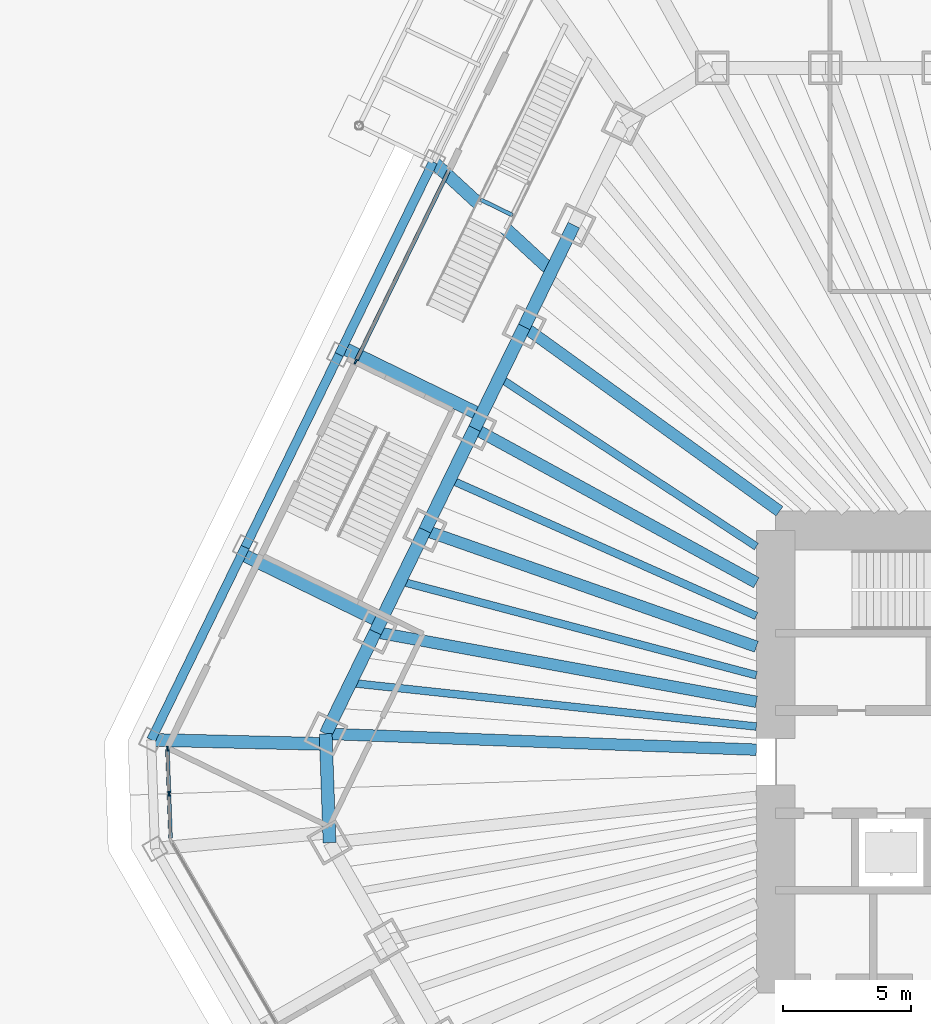
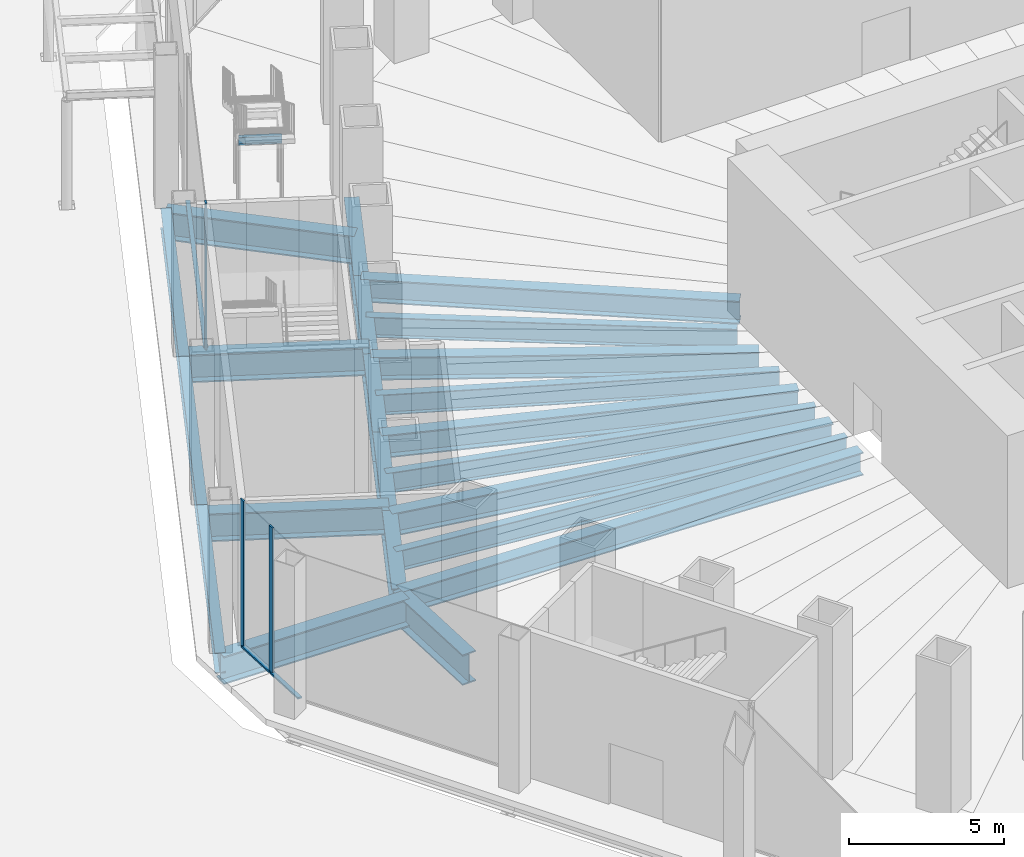
# One storey, part 17 of 45: 23 beams, 6 members, 2 elements without a shape of their own.
"""IFC4 building model written with IfcOpenShell, lengths in metres."""

import ifcopenshell
import ifcopenshell.guid

model = None  # the IFC model being written
_history = None  # IfcOwnerHistory: only IFC2X3 demands one
_inside = {}  # id of a spatial element -> (the spatial element, [elements in it])
_under = {}  # id of a project, library or spatial element -> (it, [spatial elements below it])
_declared = {}  # id of a project -> (the project, [libraries it declares])
_typed = {}  # id of a type object -> (the type object, [elements of that type])
_made_of = {}  # id of a material, layer set ... -> (it, [elements and type objects made of it])


def new_model(schema):
    """Start an empty IFC model of exactly this schema.

    Asked for "IFC4X3", IfcOpenShell would pick the latest addendum, in which some entities
    have other attributes; the version numbers below select the first issue.
    IFC2X3 requires an IfcOwnerHistory on every rooted entity: one is made here for all.
    """
    global model, _history
    if schema == "IFC4X3":
        model = ifcopenshell.file(schema_version=(4, 3, 0, 0))
    else:
        model = ifcopenshell.file(schema=schema)
    _inside.clear()
    _under.clear()
    _declared.clear()
    _typed.clear()
    _made_of.clear()
    _history = None
    if model.schema == "IFC2X3":
        org = make("IfcOrganization", Name="unknown")
        user = make(
            "IfcPersonAndOrganization",
            ThePerson=make("IfcPerson", FamilyName="unknown"),
            TheOrganization=org,
        )
        app = make(
            "IfcApplication",
            ApplicationDeveloper=org,
            Version="unknown",
            ApplicationFullName="unknown",
            ApplicationIdentifier="unknown",
        )
        _history = make(
            "IfcOwnerHistory",
            OwningUser=user,
            OwningApplication=app,
            ChangeAction="ADDED",
            CreationDate=0,
        )
    return model


def make(cls, **values):
    """One entity of the class cls with the attributes given. An attribute that is None is left unset."""
    return model.create_entity(
        cls, **{name: value for name, value in values.items() if value is not None}
    )


def rooted(cls, **values):
    """An entity with a GlobalId (a new one), such as an element, a storey or a relation."""
    return make(cls, GlobalId=ifcopenshell.guid.new(), OwnerHistory=_history, **values)


def si_unit(unit_type, name, prefix=None):
    """IfcSIUnit, for example si_unit("LENGTHUNIT", "METRE", prefix="MILLI")."""
    return make("IfcSIUnit", UnitType=unit_type, Prefix=prefix, Name=name)


def assignment(units):
    """IfcUnitAssignment: the units of a project."""
    return None if units is None else make("IfcUnitAssignment", Units=units)


def point(xyz):
    """IfcCartesianPoint."""
    return None if xyz is None else make("IfcCartesianPoint", Coordinates=xyz)


def direction(xyz):
    """IfcDirection."""
    return None if xyz is None else make("IfcDirection", DirectionRatios=xyz)


def frame(location, z_axis=None, x_axis=None):
    """IfcAxis2Placement3D, a coordinate frame: its origin and axes. An axis left out is left unset."""
    return make(
        "IfcAxis2Placement3D",
        Location=point(location),
        Axis=direction(z_axis),
        RefDirection=direction(x_axis),
    )


def frame_2d(location, x_axis=None):
    """IfcAxis2Placement2D, a coordinate frame in the plane: its origin and x axis."""
    return make(
        "IfcAxis2Placement2D", Location=point(location), RefDirection=direction(x_axis)
    )


def origin():
    """The frame at (0, 0, 0) with its axes left unset."""
    return frame((0.0, 0.0, 0.0))


def origin_2d():
    """The frame at (0, 0) in the plane with its x axis left unset."""
    return frame_2d((0.0, 0.0))


def place(relative_to, where):
    """IfcLocalPlacement: puts the frame where relative to a parent placement (None: the world)."""
    return make(
        "IfcLocalPlacement", PlacementRelTo=relative_to, RelativePlacement=where
    )


def context(
    kind, dimensions, precision=None, world=None, true_north=None, identifier=None
):
    """IfcGeometricRepresentationContext, for example the 3D "Model" context."""
    return make(
        "IfcGeometricRepresentationContext",
        ContextIdentifier=identifier,
        ContextType=kind,
        CoordinateSpaceDimension=dimensions,
        Precision=precision,
        WorldCoordinateSystem=world,
        TrueNorth=true_north,
    )


def subcontext(parent, identifier, kind, view, scale=None):
    """IfcGeometricRepresentationSubContext, for example "Body" below "Model"."""
    return make(
        "IfcGeometricRepresentationSubContext",
        ContextIdentifier=identifier,
        ContextType=kind,
        ParentContext=parent,
        TargetScale=scale,
        TargetView=view,
    )


def project(units=None, contexts=None):
    """IfcProject with its units and contexts."""
    return rooted(
        "IfcProject",
        Name="project",
        RepresentationContexts=contexts,
        UnitsInContext=assignment(units),
    )


def spatial(cls, under=None, at=None, **own):
    """A site, building, storey or space (cls), placed at a placement, below another one or the project."""
    s = rooted(cls, ObjectPlacement=at, **own)
    if under is not None:
        _under.setdefault(under.id(), (under, []))[1].append(s)
    return s


def profile(cls, at=None, kind="AREA", **sizes):
    """A parametric profile (cls). Its sizes go by their IFC names, for example OverallWidth=200.0."""
    return make(cls, ProfileType=kind, Position=at, **sizes)


def rectangle(**sizes):
    """IfcRectangleProfileDef."""
    return profile("IfcRectangleProfileDef", **sizes)


def i_section(**sizes):
    """IfcIShapeProfileDef."""
    return profile("IfcIShapeProfileDef", **sizes)


def extrude(swept, where, along, depth):
    """IfcExtrudedAreaSolid: the profile swept, set in the frame where, extruded along a direction by depth."""
    return make(
        "IfcExtrudedAreaSolid",
        SweptArea=swept,
        Position=where,
        ExtrudedDirection=direction(along),
        Depth=depth,
    )


def shape(context_of_items, identifier, shape_type, items):
    """IfcShapeRepresentation: the items that make up one representation, for example the "Body"."""
    return make(
        "IfcShapeRepresentation",
        ContextOfItems=context_of_items,
        RepresentationIdentifier=identifier,
        RepresentationType=shape_type,
        Items=items,
    )


def material(Name=None, Category=None):
    """IfcMaterial."""
    return make("IfcMaterial", Name=Name, Category=Category)


def material_profile(
    of_material, cross_section, Name=None, Category=None, Priority=None
):
    """IfcMaterialProfile: a cross section and its material."""
    return make(
        "IfcMaterialProfile",
        Name=Name,
        Material=of_material,
        Profile=cross_section,
        Priority=Priority,
        Category=Category,
    )


def profile_set(profiles, Name=None, composite=None):
    """IfcMaterialProfileSet."""
    return make(
        "IfcMaterialProfileSet",
        Name=Name,
        MaterialProfiles=profiles,
        CompositeProfile=composite,
    )


def made_of(thing, what):
    """Note that an element or type object is made of a material, layer set ...; save() writes the relation."""
    if what is not None:
        _made_of.setdefault(what.id(), (what, []))[1].append(thing)
    return thing


def type_object(cls, material=None, **own):
    """A type object (cls), such as IfcWallType, which elements share."""
    return made_of(rooted(cls, **own), material)


def element(
    cls,
    number,
    at=None,
    inside=None,
    cuts=None,
    type_object=None,
    material=None,
    context=None,
    identifier="Body",
    shape_type=None,
    held_by="IfcProductDefinitionShape",
    body=None,
    shapes=None,
    **own,
):
    """One element of the class cls, such as IfcWall. Its Tag is "e" and its number.

    at: its placement. inside: the storey or other place that contains it. cuts: it is an
    opening in that element (IfcRelVoidsElement). A single representation is given by context,
    identifier, shape_type and body (its items); several are given by shapes. held_by: the class
    of the entity that holds the representations. save() writes the other relations.
    """
    e = rooted(cls, Tag="e%d" % number, ObjectPlacement=at, **own)
    if body is not None:
        shapes = [shape(context, identifier, shape_type, body)]
    if shapes is not None:
        e.Representation = make(held_by, Representations=shapes)
    if inside is not None:
        _inside.setdefault(inside.id(), (inside, []))[1].append(e)
    if cuts is not None:
        rooted(
            "IfcRelVoidsElement", RelatingBuildingElement=cuts, RelatedOpeningElement=e
        )
    if type_object is not None:
        _typed.setdefault(type_object.id(), (type_object, []))[1].append(e)
    return made_of(e, material)


def aggregate(whole, parts):
    """IfcRelAggregates: a whole, such as a stair, and the parts it consists of."""
    return rooted("IfcRelAggregates", RelatingObject=whole, RelatedObjects=parts)


def save(model, path):
    """Write the relations noted so far, then the file.

    IfcRelAggregates (storeys below a building ...), IfcRelContainedInSpatialStructure (elements
    in a storey), IfcRelDefinesByType, IfcRelAssociatesMaterial and IfcRelDeclares: one each for
    every whole, place, type object, material and project.
    """
    for whole, parts in _under.values():
        aggregate(whole, parts)
    for where, things in _inside.values():
        rooted(
            "IfcRelContainedInSpatialStructure",
            RelatedElements=things,
            RelatingStructure=where,
        )
    for kind, things in _typed.values():
        rooted("IfcRelDefinesByType", RelatedObjects=things, RelatingType=kind)
    for what, things in _made_of.values():
        rooted("IfcRelAssociatesMaterial", RelatedObjects=things, RelatingMaterial=what)
    for by, libraries in _declared.values():
        rooted("IfcRelDeclares", RelatingContext=by, RelatedDefinitions=libraries)
    model.write(path)


model = new_model("IFC4")

# Units and contexts
model_context = context("Model", 3, precision=1e-05, world=origin(), true_north=direction((0.0, 1.0)))
body_context = subcontext(model_context, "Body", "Model", "MODEL_VIEW")
ifc_project = project(units=[si_unit("LENGTHUNIT", "METRE"), si_unit("AREAUNIT", "SQUARE_METRE"), si_unit("VOLUMEUNIT", "CUBIC_METRE"), si_unit("PLANEANGLEUNIT", "RADIAN"), si_unit("MASSUNIT", "GRAM", prefix="KILO")], contexts=[model_context])

# Site, building, storey
site_placement = place(None, origin())
site = spatial("IfcSite", under=ifc_project, at=site_placement, CompositionType="ELEMENT")
building_placement = place(site_placement, origin())
building = spatial("IfcBuilding", under=site, at=building_placement, Name="Qingtian Harvest Tower", CompositionType="ELEMENT")
storey_placement = place(building_placement, origin())
storey = spatial("IfcBuildingStorey", under=building, at=storey_placement, Name="L00", CompositionType="ELEMENT", Elevation=0.0)

# Beams
ifc_material_1 = material(Name="Steel SM570MC", Category="steel")
ifc_material_profile_1 = material_profile(ifc_material_1, i_section(OverallWidth=0.449951171875, OverallDepth=0.89990234375, WebThickness=0.02197265625, FlangeThickness=0.044921875, at=origin_2d()), Name="H900x450x22x45")
ifc_profile_set_1 = profile_set([ifc_material_profile_1], Name="Steel SM570MC")
beam_type_1 = type_object("IfcBeamType", Name="Floor beam FB5 H900x450x22x45", PredefinedType="BEAM", material=ifc_profile_set_1)
beam_1_placement = place(storey_placement, frame((-29.5087890625, 1.08984375, -0.699951171875), z_axis=(0.999318796571, -0.036904509488, 0.0), x_axis=(0.036904509488, 0.999318796571, 0.0)))
element("IfcBeam", 1, at=beam_1_placement, inside=storey, type_object=beam_type_1, Name="Floor beam FB5 NW0", PredefinedType="BEAM", context=body_context, shape_type="SweptSolid", body=[
    extrude(i_section(OverallWidth=0.449951171875, OverallDepth=0.89990234375, WebThickness=0.02197265625, FlangeThickness=0.044921875, at=origin_2d()), origin(), (0.0, 0.0, 1.0), 16.770263671875),
])
beam_2_placement = place(storey_placement, frame((-27.577880859375, 5.048828125, -0.699951171875), z_axis=(0.98365177106, -0.180081074215, 0.0), x_axis=(0.180081074215, 0.98365177106, 0.0)))
element("IfcBeam", 2, at=beam_2_placement, inside=storey, type_object=beam_type_1, Name="Floor beam FB5 NW1", PredefinedType="BEAM", context=body_context, shape_type="SweptSolid", body=[
    extrude(i_section(OverallWidth=0.449951171875, OverallDepth=0.89990234375, WebThickness=0.02197265625, FlangeThickness=0.044921875, at=origin_2d()), origin(), (0.0, 0.0, 1.0), 15.07421875),
])
beam_3_placement = place(storey_placement, frame((-25.64697265625, 9.007568359375, -0.699951171875), z_axis=(0.943501950009, -0.331366972296, 0.0), x_axis=(0.331366972296, 0.943501950009, 0.0)))
element("IfcBeam", 3, at=beam_3_placement, inside=storey, type_object=beam_type_1, Name="Floor beam FB5 NW2", PredefinedType="BEAM", context=body_context, shape_type="SweptSolid", body=[
    extrude(i_section(OverallWidth=0.449951171875, OverallDepth=0.89990234375, WebThickness=0.02197265625, FlangeThickness=0.044921875, at=origin_2d()), origin(), (0.0, 0.0, 1.0), 13.669189453125),
])
beam_4_placement = place(storey_placement, frame((-23.716064453125, 12.96630859375, -0.699951171875), z_axis=(0.877428569154, -0.479707312882, 0.0), x_axis=(0.479707312882, 0.877428569154, 0.0)))
element("IfcBeam", 4, at=beam_4_placement, inside=storey, type_object=beam_type_1, Name="Floor beam FB5 NW3", PredefinedType="BEAM", context=body_context, shape_type="SweptSolid", body=[
    extrude(i_section(OverallWidth=0.449951171875, OverallDepth=0.89990234375, WebThickness=0.02197265625, FlangeThickness=0.044921875, at=origin_2d()), origin(), (0.0, 0.0, 1.0), 12.498046875),
])
beam_5_placement = place(storey_placement, frame((-21.78515625, 16.92529296875, -0.699951171875), z_axis=(0.810680279019, -0.585489099139, 0.0), x_axis=(0.585489099139, 0.810680279019, 0.0)))
element("IfcBeam", 5, at=beam_5_placement, inside=storey, type_object=beam_type_1, Name="Floor beam FB5 NW4", PredefinedType="BEAM", context=body_context, shape_type="SweptSolid", body=[
    extrude(i_section(OverallWidth=0.449951171875, OverallDepth=0.89990234375, WebThickness=0.02197265625, FlangeThickness=0.044921875, at=origin_2d()), origin(), (0.0, 0.0, 1.0), 12.255126953125),
])
ifc_material_2 = material(Name="Steel SM570MC", Category="steel")
ifc_material_profile_2 = material_profile(ifc_material_2, i_section(OverallWidth=0.5, OverallDepth=1.10009765625, WebThickness=0.02490234375, FlangeThickness=0.050048828125, at=origin_2d()), Name="H1100x500x25x50")
ifc_profile_set_2 = profile_set([ifc_material_profile_2], Name="Steel SM570MC")
beam_type_2 = type_object("IfcBeamType", Name="Floor beam FB6 H1100x500x25x50", PredefinedType="BEAM", material=ifc_profile_set_2)
beam_6_placement = place(storey_placement, frame((-36.300048828125, 0.852783203125, -0.800048828125), z_axis=(0.999724022167, -0.023492115754, 0.0), x_axis=(0.023492115754, 0.999724022167, 0.0)))
element("IfcBeam", 6, at=beam_6_placement, inside=storey, type_object=beam_type_2, Name="Podium floor beam FB6 NW0", PredefinedType="BEAM", context=body_context, shape_type="SweptSolid", body=[
    extrude(i_section(OverallWidth=0.5, OverallDepth=1.10009765625, WebThickness=0.02490234375, FlangeThickness=0.050048828125, at=origin_2d()), origin(), (0.0, 0.0, 1.0), 6.80712890625),
])
beam_7_placement = place(storey_placement, frame((-32.774658203125, 8.08056640625, -0.800048828125), z_axis=(0.898802465371, -0.438353884714, 0.0), x_axis=(0.438353884714, 0.898802465371, 0.0)))
element("IfcBeam", 7, at=beam_7_placement, inside=storey, type_object=beam_type_2, Name="Podium floor beam FB6 NW1", PredefinedType="BEAM", context=body_context, shape_type="SweptSolid", body=[
    extrude(i_section(OverallWidth=0.5, OverallDepth=1.10009765625, WebThickness=0.02490234375, FlangeThickness=0.050048828125, at=origin_2d()), origin(), (0.0, 0.0, 1.0), 6.0),
])
beam_8_placement = place(storey_placement, frame((-28.854736328125, 16.117431640625, -0.800048828125), z_axis=(0.898794646181, -0.438369916847, 0.0), x_axis=(0.438369916847, 0.898794646181, 0.0)))
element("IfcBeam", 8, at=beam_8_placement, inside=storey, type_object=beam_type_2, Name="Podium floor beam FB6 NW2", PredefinedType="BEAM", context=body_context, shape_type="SweptSolid", body=[
    extrude(i_section(OverallWidth=0.5, OverallDepth=1.10009765625, WebThickness=0.02490234375, FlangeThickness=0.050048828125, at=origin_2d()), origin(), (0.0, 0.0, 1.0), 5.999755859375),
])
beam_9_placement = place(storey_placement, frame((-25.32958984375, 23.345458984375, -0.800048828125), z_axis=(0.735326285835, -0.67771325305, 0.0), x_axis=(0.67771325305, 0.735326285835, 0.0)))
element("IfcBeam", 9, at=beam_9_placement, inside=storey, type_object=beam_type_2, Name="Podium floor beam FB6 NW3", PredefinedType="BEAM", context=body_context, shape_type="SweptSolid", body=[
    extrude(i_section(OverallWidth=0.5, OverallDepth=1.10009765625, WebThickness=0.02490234375, FlangeThickness=0.050048828125, at=origin_2d()), origin(), (0.0, 0.0, 1.0), 6.26318359375),
])
ifc_material_3 = material(Name="Steel SN490B", Category="steel")
ifc_material_profile_3 = material_profile(ifc_material_3, i_section(OverallWidth=0.300048828125, OverallDepth=0.800048828125, WebThickness=0.013916015625, FlangeThickness=0.02587890625, at=origin_2d()), Name="H800x300x14x26")
ifc_profile_set_3 = profile_set([ifc_material_profile_3], Name="Steel SN490B")
beam_type_3 = type_object("IfcBeamType", Name="Floor joist J1 H800x300x14x26", PredefinedType="JOIST", material=ifc_profile_set_3)
beam_10_placement = place(storey_placement, frame((-28.543212890625, 3.0693359375, -0.64990234375), z_axis=(0.994268320665, -0.106913546948, 0.0), x_axis=(0.106913546948, 0.994268320665, 0.0)))
element("IfcBeam", 10, at=beam_10_placement, inside=storey, type_object=beam_type_3, Name="Floor joist J1 NW0", PredefinedType="JOIST", context=body_context, shape_type="SweptSolid", body=[
    extrude(i_section(OverallWidth=0.300048828125, OverallDepth=0.800048828125, WebThickness=0.013916015625, FlangeThickness=0.02587890625, at=origin_2d()), origin(), (0.0, 0.0, 1.0), 15.88427734375),
])
beam_11_placement = place(storey_placement, frame((-26.6123046875, 7.028076171875, -0.64990234375), z_axis=(0.966852496992, -0.255335561684, 0.0), x_axis=(0.255335561684, 0.966852496992, 0.0)))
element("IfcBeam", 11, at=beam_11_placement, inside=storey, type_object=beam_type_3, Name="Floor joist J1 NW1", PredefinedType="JOIST", context=body_context, shape_type="SweptSolid", body=[
    extrude(i_section(OverallWidth=0.300048828125, OverallDepth=0.800048828125, WebThickness=0.013916015625, FlangeThickness=0.02587890625, at=origin_2d()), origin(), (0.0, 0.0, 1.0), 14.337646484375),
])
beam_12_placement = place(storey_placement, frame((-24.681640625, 10.987060546875, -0.64990234375), z_axis=(0.913567796195, -0.406686466157, 0.0), x_axis=(0.406686466157, 0.913567796195, 0.0)))
element("IfcBeam", 12, at=beam_12_placement, inside=storey, type_object=beam_type_3, Name="Floor joist J1 NW2", PredefinedType="JOIST", context=body_context, shape_type="SweptSolid", body=[
    extrude(i_section(OverallWidth=0.300048828125, OverallDepth=0.800048828125, WebThickness=0.013916015625, FlangeThickness=0.02587890625, at=origin_2d()), origin(), (0.0, 0.0, 1.0), 13.060546875),
])
beam_13_placement = place(storey_placement, frame((-22.750732421875, 14.94580078125, -0.64990234375), z_axis=(0.835785467613, -0.549056146607, 0.0), x_axis=(0.549056146607, 0.835785467613, 0.0)))
element("IfcBeam", 13, at=beam_13_placement, inside=storey, type_object=beam_type_3, Name="Floor joist J1 NW3", PredefinedType="JOIST", context=body_context, shape_type="SweptSolid", body=[
    extrude(i_section(OverallWidth=0.300048828125, OverallDepth=0.800048828125, WebThickness=0.013916015625, FlangeThickness=0.02587890625, at=origin_2d()), origin(), (0.0, 0.0, 1.0), 11.965576171875),
])
ifc_material_4 = material(Name="Steel SN490B", Category="steel")
ifc_material_profile_4 = material_profile(ifc_material_4, i_section(OverallWidth=0.14990234375, OverallDepth=0.300048828125, WebThickness=0.006591796875, FlangeThickness=0.009033203125, at=origin_2d()), Name="H300x150x6.5x9")
ifc_profile_set_4 = profile_set([ifc_material_profile_4], Name="Steel SN490B")
beam_type_4 = type_object("IfcBeamType", Name="Landing beam LB1 H300x150x6.5x9", PredefinedType="BEAM", material=ifc_profile_set_4)
beam_14_placement = place(storey_placement, frame((-23.486083984375, 21.877685546875, 2.64990234375), z_axis=(0.898778501226, -0.438403017478, 0.0), x_axis=(0.438403017478, 0.898778501226, 0.0)))
element("IfcBeam", 14, at=beam_14_placement, inside=storey, type_object=beam_type_4, Name="Landing beam LB1 FS2 2", PredefinedType="BEAM", context=body_context, shape_type="SweptSolid", body=[
    extrude(i_section(OverallWidth=0.14990234375, OverallDepth=0.300048828125, WebThickness=0.006591796875, FlangeThickness=0.009033203125, at=origin_2d()), origin(), (0.0, 0.0, 1.0), 1.39990234375),
])

# Curtain wall, members
ifc_material_5 = material(Name="Bronze-anodised aluminium curtain wall", Category="aluminium")
curtain_wall_type = type_object("IfcCurtainWallType", Name="Curtain wall CW1 podium shopfront", PredefinedType="USERDEFINED", material=ifc_material_5)
curtain_wall_1_placement = place(storey_placement, origin())
curtain_wall_1 = element("IfcCurtainWall", 15, at=curtain_wall_1_placement, inside=storey, type_object=curtain_wall_type, Name="Curtain wall CW1 L00 SWC", ObjectType="RECESSED CURTAIN WALL", PredefinedType="USERDEFINED")
ifc_material_6 = material(Name="Bronze-anodised aluminium mullion", Category="aluminium")
ifc_material_profile_5 = material_profile(ifc_material_6, rectangle(XDim=0.06494140625, YDim=0.199951171875, at=origin_2d()), Name="AL 65x200")
ifc_profile_set_5 = profile_set([ifc_material_profile_5], Name="Bronze-anodised aluminium mullion")
member_type_1 = type_object("IfcMemberType", Name="Mullion CWM 65x200", PredefinedType="MULLION", material=ifc_profile_set_5)
member_1_placement = place(storey_placement, frame((-35.6083984375, -1.243408203125, 0.0), z_axis=(0.0, 0.0, 1.0), x_axis=(-0.999390827019, -0.034899496703, 0.0)))
member_1 = element("IfcMember", 16, at=member_1_placement, type_object=member_type_1, Name="CW1 mullion 2", PredefinedType="MULLION", context=body_context, shape_type="SweptSolid", body=[
    extrude(rectangle(XDim=0.06494140625, YDim=0.199951171875, at=origin_2d()), origin(), (0.0, 0.0, 1.0), 5.75),
])
member_2_placement = place(storey_placement, frame((-35.669677734375, 0.513427734375, 0.0), z_axis=(0.0, 0.0, 1.0), x_axis=(-0.999390827019, -0.034899496703, 0.0)))
member_2 = element("IfcMember", 17, at=member_2_placement, type_object=member_type_1, Name="CW1 mullion 3", PredefinedType="MULLION", context=body_context, shape_type="SweptSolid", body=[
    extrude(rectangle(XDim=0.06494140625, YDim=0.199951171875, at=origin_2d()), origin(), (0.0, 0.0, 1.0), 5.75),
])

# Curtain wall, member
curtain_wall_2_placement = place(storey_placement, origin())
curtain_wall_2 = element("IfcCurtainWall", 18, at=curtain_wall_2_placement, inside=storey, type_object=curtain_wall_type, Name="Curtain wall CW1 L00 NW2", ObjectType="RECESSED CURTAIN WALL", PredefinedType="USERDEFINED")
member_3_placement = place(storey_placement, frame((-28.343017578125, 15.570068359375, 0.0), z_axis=(0.0, 0.0, 1.0), x_axis=(-0.898794046299, 0.438371146789, 0.0)))
member_3 = element("IfcMember", 19, at=member_3_placement, type_object=member_type_1, Name="CW1 mullion 1", PredefinedType="MULLION", context=body_context, shape_type="SweptSolid", body=[
    extrude(rectangle(XDim=0.06494140625, YDim=0.199951171875, at=origin_2d()), origin(), (0.0, 0.0, 1.0), 5.75),
])

# Beams
ifc_material_7 = material(Name="Steel SN490B", Category="steel")
ifc_material_profile_6 = material_profile(ifc_material_7, i_section(OverallWidth=0.35009765625, OverallDepth=0.800048828125, WebThickness=0.01611328125, FlangeThickness=0.028076171875, at=origin_2d()), Name="H800x350x16x28")
ifc_profile_set_6 = profile_set([ifc_material_profile_6], Name="Steel SN490B")
beam_type_5 = type_object("IfcBeamType", Name="Podium beam PB1 H800x350x16x28", PredefinedType="BEAM", material=ifc_profile_set_6)
for number, where, z_axis, x_axis, name in (
    (20, (-36.300048828125, 0.852783203125, -0.64990234375), (0.438388457998, 0.898785602852, 0.0), (-0.898785602852, 0.438388457998, 0.0), "Podium edge beam PB1 NW0"),
    (21, (-32.64306640625, 8.350341796875, -0.64990234375), (0.438364815309, 0.898797134341, 0.0), (-0.898797134341, 0.438364815309, 0.0), "Podium edge beam PB1 NW1"),
    (22, (-28.986328125, 15.847900390625, -0.64990234375), (0.438364815309, 0.898797134341, 0.0), (-0.898797134341, 0.438364815309, 0.0), "Podium edge beam PB1 NW2"),
):
    element("IfcBeam", number, at=place(storey_placement, frame(where, z_axis=z_axis, x_axis=x_axis)), inside=storey, type_object=beam_type_5, Name=name, PredefinedType="BEAM", context=body_context, shape_type="SweptSolid", body=[
        extrude(i_section(OverallWidth=0.35009765625, OverallDepth=0.800048828125, WebThickness=0.01611328125, FlangeThickness=0.028076171875, at=origin_2d()), origin(), (0.0, 0.0, 1.0), 8.341796875),
    ])
ifc_material_8 = material(Name="Steel SM570MC", Category="steel")
ifc_material_profile_7 = material_profile(ifc_material_8, i_section(OverallWidth=0.5, OverallDepth=1.199951171875, WebThickness=0.02490234375, FlangeThickness=0.050048828125, at=origin_2d()), Name="H1200x500x25x50")
ifc_profile_set_7 = profile_set([ifc_material_profile_7], Name="Steel SM570MC")
beam_type_6 = type_object("IfcBeamType", Name="Spandrel beam SB1 H1200x500x25x50", PredefinedType="SPANDREL", material=ifc_profile_set_7)
beam_15_placement = place(storey_placement, frame((-29.36083984375, -3.145751953125, -0.85009765625), z_axis=(-0.034908677553, 0.999390506375, 0.0), x_axis=(-0.999390506375, -0.034908677553, 0.0)))
element("IfcBeam", 23, at=beam_15_placement, inside=storey, type_object=beam_type_6, Name="Spandrel SB1 SWC", PredefinedType="SPANDREL", context=body_context, shape_type="SweptSolid", body=[
    extrude(i_section(OverallWidth=0.5, OverallDepth=1.199951171875, WebThickness=0.02490234375, FlangeThickness=0.050048828125, at=origin_2d()), origin(), (0.0, 0.0, 1.0), 4.23828125),
])
beam_16_placement = place(storey_placement, frame((-29.5087890625, 1.08984375, -0.85009765625), z_axis=(0.438367938366, 0.898795611145, 0.0), x_axis=(-0.898795611145, 0.438367938366, 0.0)))
element("IfcBeam", 24, at=beam_16_placement, inside=storey, type_object=beam_type_6, Name="Spandrel SB1 NW0", PredefinedType="SPANDREL", context=body_context, shape_type="SweptSolid", body=[
    extrude(i_section(OverallWidth=0.5, OverallDepth=1.199951171875, WebThickness=0.02490234375, FlangeThickness=0.050048828125, at=origin_2d()), origin(), (0.0, 0.0, 1.0), 4.40478515625),
])
for number, where, z_axis, x_axis, name in (
    (25, (-27.577880859375, 5.048828125, -0.85009765625), (0.438389777529, 0.898784959241, 0.0), (-0.898784959241, 0.438389777529, 0.0), "Spandrel SB1 NW1"),
    (26, (-25.64697265625, 9.007568359375, -0.85009765625), (0.438389777529, 0.898784959241, 0.0), (-0.898784959241, 0.438389777529, 0.0), "Spandrel SB1 NW2"),
):
    element("IfcBeam", number, at=place(storey_placement, frame(where, z_axis=z_axis, x_axis=x_axis)), inside=storey, type_object=beam_type_6, Name=name, PredefinedType="SPANDREL", context=body_context, shape_type="SweptSolid", body=[
        extrude(i_section(OverallWidth=0.5, OverallDepth=1.199951171875, WebThickness=0.02490234375, FlangeThickness=0.050048828125, at=origin_2d()), origin(), (0.0, 0.0, 1.0), 4.404541015625),
    ])
beam_17_placement = place(storey_placement, frame((-23.716064453125, 12.96630859375, -0.85009765625), z_axis=(0.438367938366, 0.898795611145, 0.0), x_axis=(-0.898795611145, 0.438367938366, 0.0)))
element("IfcBeam", 27, at=beam_17_placement, inside=storey, type_object=beam_type_6, Name="Spandrel SB1 NW3", PredefinedType="SPANDREL", context=body_context, shape_type="SweptSolid", body=[
    extrude(i_section(OverallWidth=0.5, OverallDepth=1.199951171875, WebThickness=0.02490234375, FlangeThickness=0.050048828125, at=origin_2d()), origin(), (0.0, 0.0, 1.0), 4.40478515625),
])
beam_18_placement = place(storey_placement, frame((-21.78515625, 16.92529296875, -0.85009765625), z_axis=(0.438344999367, 0.898806798778, 0.0), x_axis=(-0.898806798778, 0.438344999367, 0.0)))
element("IfcBeam", 28, at=beam_18_placement, inside=storey, type_object=beam_type_6, Name="Spandrel SB1 NW4", PredefinedType="SPANDREL", context=body_context, shape_type="SweptSolid", body=[
    extrude(i_section(OverallWidth=0.5, OverallDepth=1.199951171875, WebThickness=0.02490234375, FlangeThickness=0.050048828125, at=origin_2d()), origin(), (0.0, 0.0, 1.0), 4.404541015625),
])

# Member
ifc_material_9 = material(Name="Bronze-anodised aluminium transom", Category="aluminium")
ifc_material_profile_8 = material_profile(ifc_material_9, rectangle(XDim=0.14990234375, YDim=0.06494140625, at=origin_2d()), Name="AL 65x150")
ifc_profile_set_8 = profile_set([ifc_material_profile_8], Name="Bronze-anodised aluminium transom")
member_type_2 = type_object("IfcMemberType", Name="Transom CWT 65x150", PredefinedType="USERDEFINED", material=ifc_profile_set_8)
member_4_placement = place(storey_placement, frame((-35.548095703125, -2.9677734375, 0.032470703125), z_axis=(-0.034899362377, 0.99939083171, 0.0), x_axis=(-0.99939083171, -0.034899362377, 0.0)))
member_4 = element("IfcMember", 29, at=member_4_placement, type_object=member_type_2, Name="CW1 transom 1.1", ObjectType="TRANSOM", PredefinedType="USERDEFINED", context=body_context, shape_type="SweptSolid", body=[
    extrude(rectangle(XDim=0.14990234375, YDim=0.06494140625, at=origin_2d()), origin(), (0.0, 0.0, 1.0), 1.69287109375),
])

member_5_placement = place(storey_placement, frame((-35.609375, -1.2109375, 0.032470703125), z_axis=(-0.034899362377, 0.99939083171, 0.0), x_axis=(-0.99939083171, -0.034899362377, 0.0)))
member_5 = element("IfcMember", 30, at=member_5_placement, type_object=member_type_2, Name="CW1 transom 2.1", ObjectType="TRANSOM", PredefinedType="USERDEFINED", context=body_context, shape_type="SweptSolid", body=[
    extrude(rectangle(XDim=0.14990234375, YDim=0.06494140625, at=origin_2d()), origin(), (0.0, 0.0, 1.0), 1.69287109375),
])

aggregate(curtain_wall_1, [member_1, member_2, member_4, member_5])

member_6_placement = place(storey_placement, frame((-28.32861328125, 15.599365234375, 0.032470703125), z_axis=(0.438355682079, 0.898801588777, 0.0), x_axis=(-0.898801588777, 0.438355682079, 0.0)))
member_6 = element("IfcMember", 31, at=member_6_placement, type_object=member_type_2, Name="CW1 transom 1.1", ObjectType="TRANSOM", PredefinedType="USERDEFINED", context=body_context, shape_type="SweptSolid", body=[
    extrude(rectangle(XDim=0.14990234375, YDim=0.06494140625, at=origin_2d()), origin(), (0.0, 0.0, 1.0), 8.211669921875),
])

aggregate(curtain_wall_2, [member_3, member_6])

save(model, "model.ifc")
